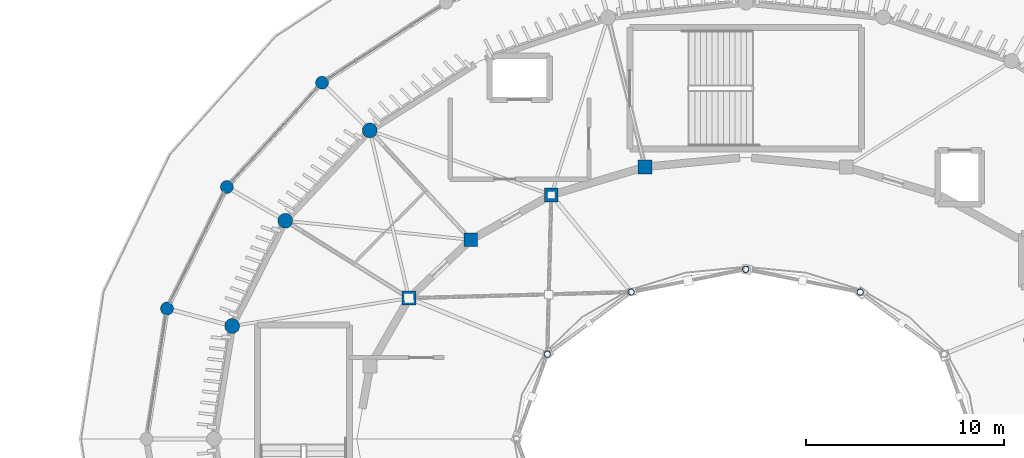
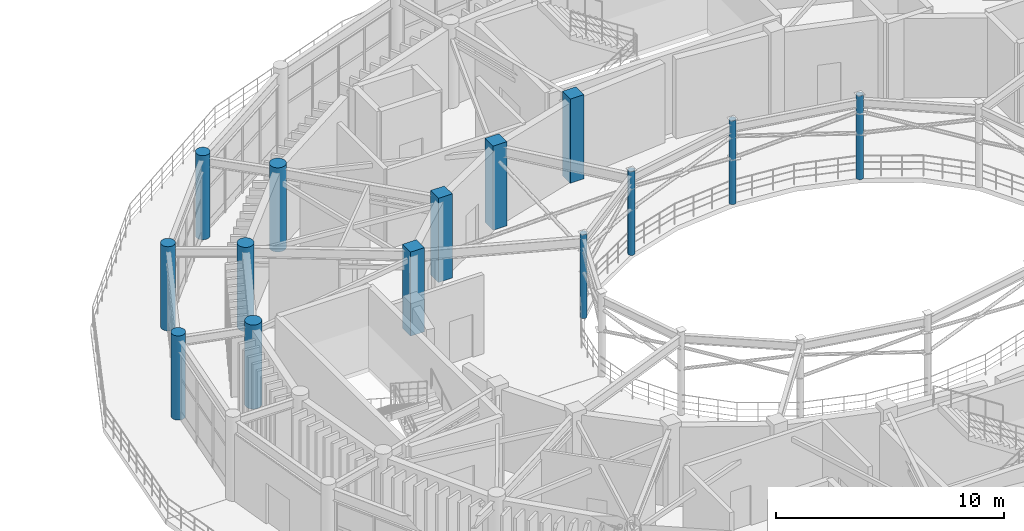
# One storey, part 3 of 45: 14 columns.
"""IFC4 building model written with IfcOpenShell, lengths in metres."""

import ifcopenshell
import ifcopenshell.guid

model = None  # the IFC model being written
_history = None  # IfcOwnerHistory: only IFC2X3 demands one
_inside = {}  # id of a spatial element -> (the spatial element, [elements in it])
_under = {}  # id of a project, library or spatial element -> (it, [spatial elements below it])
_declared = {}  # id of a project -> (the project, [libraries it declares])
_typed = {}  # id of a type object -> (the type object, [elements of that type])
_made_of = {}  # id of a material, layer set ... -> (it, [elements and type objects made of it])


def new_model(schema):
    """Start an empty IFC model of exactly this schema.

    Asked for "IFC4X3", IfcOpenShell would pick the latest addendum, in which some entities
    have other attributes; the version numbers below select the first issue.
    IFC2X3 requires an IfcOwnerHistory on every rooted entity: one is made here for all.
    """
    global model, _history
    if schema == "IFC4X3":
        model = ifcopenshell.file(schema_version=(4, 3, 0, 0))
    else:
        model = ifcopenshell.file(schema=schema)
    _inside.clear()
    _under.clear()
    _declared.clear()
    _typed.clear()
    _made_of.clear()
    _history = None
    if model.schema == "IFC2X3":
        org = make("IfcOrganization", Name="unknown")
        user = make(
            "IfcPersonAndOrganization",
            ThePerson=make("IfcPerson", FamilyName="unknown"),
            TheOrganization=org,
        )
        app = make(
            "IfcApplication",
            ApplicationDeveloper=org,
            Version="unknown",
            ApplicationFullName="unknown",
            ApplicationIdentifier="unknown",
        )
        _history = make(
            "IfcOwnerHistory",
            OwningUser=user,
            OwningApplication=app,
            ChangeAction="ADDED",
            CreationDate=0,
        )
    return model


def make(cls, **values):
    """One entity of the class cls with the attributes given. An attribute that is None is left unset."""
    return model.create_entity(
        cls, **{name: value for name, value in values.items() if value is not None}
    )


def rooted(cls, **values):
    """An entity with a GlobalId (a new one), such as an element, a storey or a relation."""
    return make(cls, GlobalId=ifcopenshell.guid.new(), OwnerHistory=_history, **values)


def si_unit(unit_type, name, prefix=None):
    """IfcSIUnit, for example si_unit("LENGTHUNIT", "METRE", prefix="MILLI")."""
    return make("IfcSIUnit", UnitType=unit_type, Prefix=prefix, Name=name)


def assignment(units):
    """IfcUnitAssignment: the units of a project."""
    return None if units is None else make("IfcUnitAssignment", Units=units)


def point(xyz):
    """IfcCartesianPoint."""
    return None if xyz is None else make("IfcCartesianPoint", Coordinates=xyz)


def direction(xyz):
    """IfcDirection."""
    return None if xyz is None else make("IfcDirection", DirectionRatios=xyz)


def frame(location, z_axis=None, x_axis=None):
    """IfcAxis2Placement3D, a coordinate frame: its origin and axes. An axis left out is left unset."""
    return make(
        "IfcAxis2Placement3D",
        Location=point(location),
        Axis=direction(z_axis),
        RefDirection=direction(x_axis),
    )


def frame_2d(location, x_axis=None):
    """IfcAxis2Placement2D, a coordinate frame in the plane: its origin and x axis."""
    return make(
        "IfcAxis2Placement2D", Location=point(location), RefDirection=direction(x_axis)
    )


def origin():
    """The frame at (0, 0, 0) with its axes left unset."""
    return frame((0.0, 0.0, 0.0))


def origin_2d():
    """The frame at (0, 0) in the plane with its x axis left unset."""
    return frame_2d((0.0, 0.0))


def place(relative_to, where):
    """IfcLocalPlacement: puts the frame where relative to a parent placement (None: the world)."""
    return make(
        "IfcLocalPlacement", PlacementRelTo=relative_to, RelativePlacement=where
    )


def context(
    kind, dimensions, precision=None, world=None, true_north=None, identifier=None
):
    """IfcGeometricRepresentationContext, for example the 3D "Model" context."""
    return make(
        "IfcGeometricRepresentationContext",
        ContextIdentifier=identifier,
        ContextType=kind,
        CoordinateSpaceDimension=dimensions,
        Precision=precision,
        WorldCoordinateSystem=world,
        TrueNorth=true_north,
    )


def subcontext(parent, identifier, kind, view, scale=None):
    """IfcGeometricRepresentationSubContext, for example "Body" below "Model"."""
    return make(
        "IfcGeometricRepresentationSubContext",
        ContextIdentifier=identifier,
        ContextType=kind,
        ParentContext=parent,
        TargetScale=scale,
        TargetView=view,
    )


def project(units=None, contexts=None):
    """IfcProject with its units and contexts."""
    return rooted(
        "IfcProject",
        Name="project",
        RepresentationContexts=contexts,
        UnitsInContext=assignment(units),
    )


def spatial(cls, under=None, at=None, **own):
    """A site, building, storey or space (cls), placed at a placement, below another one or the project."""
    s = rooted(cls, ObjectPlacement=at, **own)
    if under is not None:
        _under.setdefault(under.id(), (under, []))[1].append(s)
    return s


def profile(cls, at=None, kind="AREA", **sizes):
    """A parametric profile (cls). Its sizes go by their IFC names, for example OverallWidth=200.0."""
    return make(cls, ProfileType=kind, Position=at, **sizes)


def rectangle(**sizes):
    """IfcRectangleProfileDef."""
    return profile("IfcRectangleProfileDef", **sizes)


def circle(**sizes):
    """IfcCircleProfileDef."""
    return profile("IfcCircleProfileDef", **sizes)


def hollow_circle(**sizes):
    """IfcCircleHollowProfileDef."""
    return profile("IfcCircleHollowProfileDef", **sizes)


def extrude(swept, where, along, depth):
    """IfcExtrudedAreaSolid: the profile swept, set in the frame where, extruded along a direction by depth."""
    return make(
        "IfcExtrudedAreaSolid",
        SweptArea=swept,
        Position=where,
        ExtrudedDirection=direction(along),
        Depth=depth,
    )


def shape(context_of_items, identifier, shape_type, items):
    """IfcShapeRepresentation: the items that make up one representation, for example the "Body"."""
    return make(
        "IfcShapeRepresentation",
        ContextOfItems=context_of_items,
        RepresentationIdentifier=identifier,
        RepresentationType=shape_type,
        Items=items,
    )


def material(Name=None, Category=None):
    """IfcMaterial."""
    return make("IfcMaterial", Name=Name, Category=Category)


def material_profile(
    of_material, cross_section, Name=None, Category=None, Priority=None
):
    """IfcMaterialProfile: a cross section and its material."""
    return make(
        "IfcMaterialProfile",
        Name=Name,
        Material=of_material,
        Profile=cross_section,
        Priority=Priority,
        Category=Category,
    )


def profile_set(profiles, Name=None, composite=None):
    """IfcMaterialProfileSet."""
    return make(
        "IfcMaterialProfileSet",
        Name=Name,
        MaterialProfiles=profiles,
        CompositeProfile=composite,
    )


def made_of(thing, what):
    """Note that an element or type object is made of a material, layer set ...; save() writes the relation."""
    if what is not None:
        _made_of.setdefault(what.id(), (what, []))[1].append(thing)
    return thing


def type_object(cls, material=None, **own):
    """A type object (cls), such as IfcWallType, which elements share."""
    return made_of(rooted(cls, **own), material)


def element(
    cls,
    number,
    at=None,
    inside=None,
    cuts=None,
    type_object=None,
    material=None,
    context=None,
    identifier="Body",
    shape_type=None,
    held_by="IfcProductDefinitionShape",
    body=None,
    shapes=None,
    **own,
):
    """One element of the class cls, such as IfcWall. Its Tag is "e" and its number.

    at: its placement. inside: the storey or other place that contains it. cuts: it is an
    opening in that element (IfcRelVoidsElement). A single representation is given by context,
    identifier, shape_type and body (its items); several are given by shapes. held_by: the class
    of the entity that holds the representations. save() writes the other relations.
    """
    e = rooted(cls, Tag="e%d" % number, ObjectPlacement=at, **own)
    if body is not None:
        shapes = [shape(context, identifier, shape_type, body)]
    if shapes is not None:
        e.Representation = make(held_by, Representations=shapes)
    if inside is not None:
        _inside.setdefault(inside.id(), (inside, []))[1].append(e)
    if cuts is not None:
        rooted(
            "IfcRelVoidsElement", RelatingBuildingElement=cuts, RelatedOpeningElement=e
        )
    if type_object is not None:
        _typed.setdefault(type_object.id(), (type_object, []))[1].append(e)
    return made_of(e, material)


def aggregate(whole, parts):
    """IfcRelAggregates: a whole, such as a stair, and the parts it consists of."""
    return rooted("IfcRelAggregates", RelatingObject=whole, RelatedObjects=parts)


def save(model, path):
    """Write the relations noted so far, then the file.

    IfcRelAggregates (storeys below a building ...), IfcRelContainedInSpatialStructure (elements
    in a storey), IfcRelDefinesByType, IfcRelAssociatesMaterial and IfcRelDeclares: one each for
    every whole, place, type object, material and project.
    """
    for whole, parts in _under.values():
        aggregate(whole, parts)
    for where, things in _inside.values():
        rooted(
            "IfcRelContainedInSpatialStructure",
            RelatedElements=things,
            RelatingStructure=where,
        )
    for kind, things in _typed.values():
        rooted("IfcRelDefinesByType", RelatedObjects=things, RelatingType=kind)
    for what, things in _made_of.values():
        rooted("IfcRelAssociatesMaterial", RelatedObjects=things, RelatingMaterial=what)
    for by, libraries in _declared.values():
        rooted("IfcRelDeclares", RelatingContext=by, RelatedDefinitions=libraries)
    model.write(path)


model = new_model("IFC4")

# Units and contexts
model_context = context("Model", 3, precision=1e-05, world=origin(), true_north=direction((0.0, 1.0)))
body_context = subcontext(model_context, "Body", "Model", "MODEL_VIEW")
ifc_project = project(units=[si_unit("LENGTHUNIT", "METRE"), si_unit("AREAUNIT", "SQUARE_METRE"), si_unit("VOLUMEUNIT", "CUBIC_METRE"), si_unit("PLANEANGLEUNIT", "RADIAN"), si_unit("MASSUNIT", "GRAM", prefix="KILO")], contexts=[model_context])

# Site, building, storey
site_placement = place(None, origin())
site = spatial("IfcSite", under=ifc_project, at=site_placement, CompositionType="ELEMENT")
building_placement = place(site_placement, origin())
building = spatial("IfcBuilding", under=site, at=building_placement, Name="Cinderbank Siding Concert Hall", CompositionType="ELEMENT")
storey_placement = place(building_placement, frame((0.0, 0.0, 19.199951171875)))
storey = spatial("IfcBuildingStorey", under=building, at=storey_placement, Name="L05", CompositionType="ELEMENT", Elevation=19.199951171875)

# Columns
ifc_material_1 = material(Name="Structural steel hollow section AS/NZS 1163 Grade C350L0 (350 MPa)", Category="steel")
ifc_material_profile_1 = material_profile(ifc_material_1, hollow_circle(Radius=0.161865234375, WallThickness=0.0126953125, at=origin_2d()), Name="323.9x12.7CHS", Category="LoadBearing")
ifc_profile_set_1 = profile_set([ifc_material_profile_1], Name="Structural steel hollow section AS/NZS 1163 Grade C350L0 (350 MPa)")
column_type_1 = type_object("IfcColumnType", Name="C-CHS323 323.9x12.7CHS", PredefinedType="COLUMN", material=ifc_profile_set_1)
for number, where, z_axis, x_axis, name in (
    (1, (127.77490234375, 51.404052734375, 0.0), (0.0, 0.0, 1.0), (1.0, 0.0, 0.0), "L05 Column COL-E0-05"),
    (2, (122.0, 52.550048828125, 0.0), (0.0, 0.0, 1.0), (1.0, 0.0, 0.0), "L05 Column COL-E0-07"),
    (3, (116.22509765625, 51.404052734375, 0.0), (0.0, 0.0, 1.0), (1.0, 0.0, 0.0), "L05 Column COL-E0-09"),
    (4, (111.9970703125, 48.27490234375, 0.0), (0.0, 0.0, 1.0), (1.0, 0.0, 0.0), "L05 Column COL-E0-11"),
):
    element("IfcColumn", number, at=place(storey_placement, frame(where, z_axis=z_axis, x_axis=x_axis)), inside=storey, type_object=column_type_1, Name=name, PredefinedType="COLUMN", context=body_context, shape_type="SweptSolid", body=[
        extrude(hollow_circle(Radius=0.161865234375, WallThickness=0.0126953125, at=origin_2d()), origin(), (0.0, 0.0, 1.0), 4.47998046875),
    ])
ifc_material_2 = material(Name="Reinforced concrete AS 3600 N50 (50 MPa)", Category="concrete")
ifc_material_profile_2 = material_profile(ifc_material_2, rectangle(XDim=0.699951171875, YDim=0.699951171875, at=origin_2d()), Name="RC-COL-700x700", Category="LoadBearing")
ifc_profile_set_2 = profile_set([ifc_material_profile_2], Name="Reinforced concrete AS 3600 N50 (50 MPa)")
column_type_2 = type_object("IfcColumnType", Name="C-RC700 RC-COL-700x700", PredefinedType="COLUMN", material=ifc_profile_set_2)
for number, where, z_axis, x_axis, name in (
    (5, (116.927001953125, 57.716064453125, 0.0), (0.0, 0.0, 1.0), (1.0, 0.0, 0.0), "L05 Column COL-E1-08"),
    (6, (112.199951171875, 56.298095703125, 0.0), (0.0, 0.0, 1.0), (1.0, 0.0, 0.0), "L05 Column COL-E1-09"),
    (7, (108.14111328125, 54.041015625, 0.0), (0.0, 0.0, 1.0), (1.0, 0.0, 0.0), "L05 Column COL-E1-10"),
    (8, (105.02587890625, 51.10009765625, 0.0), (0.0, 0.0, 1.0), (1.0, 0.0, 0.0), "L05 Column COL-E1-11"),
):
    element("IfcColumn", number, at=place(storey_placement, frame(where, z_axis=z_axis, x_axis=x_axis)), inside=storey, type_object=column_type_2, Name=name, PredefinedType="COLUMN", context=body_context, shape_type="SweptSolid", body=[
        extrude(rectangle(XDim=0.699951171875, YDim=0.699951171875, at=origin_2d()), origin(), (0.0, 0.0, 1.0), 4.5),
    ])
ifc_material_profile_3 = material_profile(ifc_material_2, circle(Radius=0.324951171875, at=origin_2d()), Name="RC-COL-650DIA", Category="LoadBearing")
ifc_profile_set_3 = profile_set([ifc_material_profile_3], Name="Reinforced concrete AS 3600 N50 (50 MPa)")
column_type_3 = type_object("IfcColumnType", Name="C-RCD650 RC-COL-650DIA", PredefinedType="COLUMN", material=ifc_profile_set_3)
for number, where, z_axis, x_axis, name in (
    (9, (100.64501953125, 61.9609375, 0.0), (0.0, 0.0, 1.0), (1.0, 0.0, 0.0), "L05 Column COL-E3-10"),
    (10, (95.845947265625, 56.699951171875, 0.0), (0.0, 0.0, 1.0), (1.0, 0.0, 0.0), "L05 Column COL-E3-11"),
    (11, (92.8291015625, 50.573974609375, 0.0), (0.0, 0.0, 1.0), (1.0, 0.0, 0.0), "L05 Column COL-E3-12"),
):
    element("IfcColumn", number, at=place(storey_placement, frame(where, z_axis=z_axis, x_axis=x_axis)), inside=storey, type_object=column_type_3, Name=name, PredefinedType="COLUMN", context=body_context, shape_type="SweptSolid", body=[
        extrude(circle(Radius=0.324951171875, at=origin_2d()), origin(), (0.0, 0.0, 1.0), 4.5),
    ])
ifc_material_profile_4 = material_profile(ifc_material_2, circle(Radius=0.375, at=origin_2d()), Name="RC-COL-750DIA", Category="LoadBearing")
ifc_profile_set_4 = profile_set([ifc_material_profile_4], Name="Reinforced concrete AS 3600 N50 (50 MPa)")
column_type_4 = type_object("IfcColumnType", Name="C-RCD750 RC-COL-750DIA", PredefinedType="COLUMN", material=ifc_profile_set_4)
for number, where, z_axis, x_axis, name in (
    (12, (103.049072265625, 59.555908203125, 0.0), (0.0, 0.0, 1.0), (1.0, 0.0, 0.0), "L05 Column COL-E2-10"),
    (13, (98.7900390625, 55.0, 0.0), (0.0, 0.0, 1.0), (1.0, 0.0, 0.0), "L05 Column COL-E2-11"),
    (14, (96.113037109375, 49.694091796875, 0.0), (0.0, 0.0, 1.0), (1.0, 0.0, 0.0), "L05 Column COL-E2-12"),
):
    element("IfcColumn", number, at=place(storey_placement, frame(where, z_axis=z_axis, x_axis=x_axis)), inside=storey, type_object=column_type_4, Name=name, PredefinedType="COLUMN", context=body_context, shape_type="SweptSolid", body=[
        extrude(circle(Radius=0.375, at=origin_2d()), origin(), (0.0, 0.0, 1.0), 4.5),
    ])

save(model, "model.ifc")
